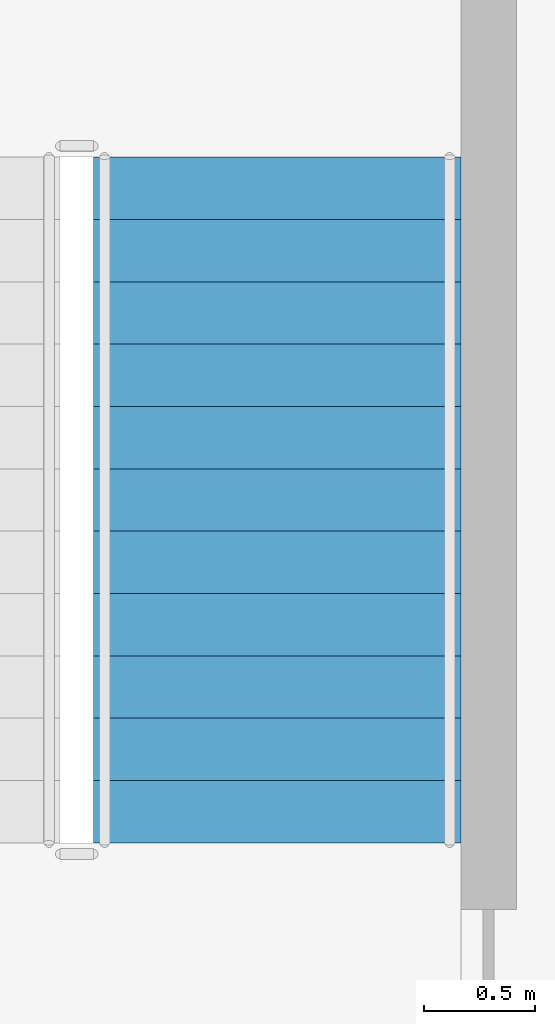
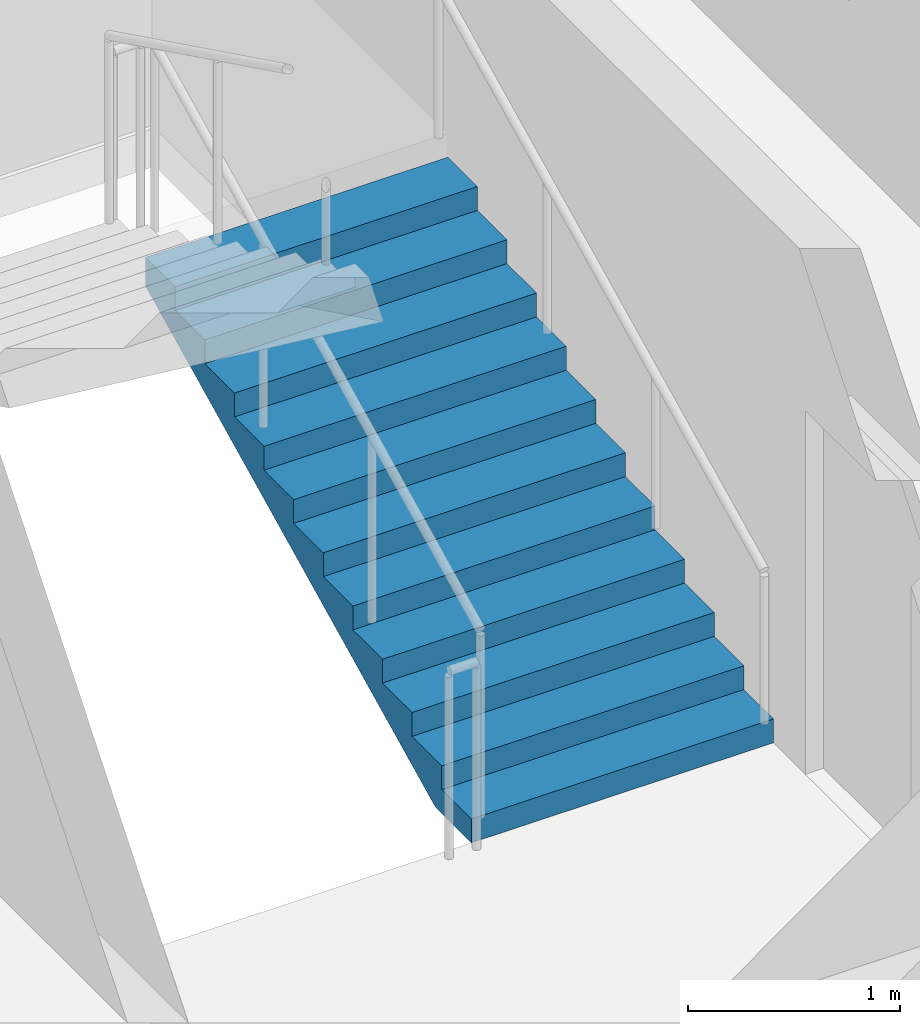
# One storey, part 12 of 27: 1 stair flight, 1 element without a shape of its own.
"""IFC4 building model written with IfcOpenShell, lengths in metres."""

from ifc_helpers import new_model, si_unit, direction, frame, origin, place, context, subcontext, project, spatial, polyline, outline, extrude, material, layer, layer_set, type_object, element, aggregate, save


model = new_model("IFC4")

# Units and contexts
model_context = context("Model", 3, precision=1e-05, world=origin(), true_north=direction((0.0, 1.0)))
body_context = subcontext(model_context, "Body", "Model", "MODEL_VIEW")
ifc_project = project(units=[si_unit("LENGTHUNIT", "METRE"), si_unit("AREAUNIT", "SQUARE_METRE"), si_unit("VOLUMEUNIT", "CUBIC_METRE"), si_unit("PLANEANGLEUNIT", "RADIAN"), si_unit("MASSUNIT", "GRAM", prefix="KILO")], contexts=[model_context])

# Site, building, storey
site_placement = place(None, origin())
site = spatial("IfcSite", under=ifc_project, at=site_placement, CompositionType="ELEMENT")
building_placement = place(site_placement, origin())
building = spatial("IfcBuilding", under=site, at=building_placement, Name="Poui Terraces", CompositionType="ELEMENT")
storey_placement = place(building_placement, frame((0.0, 0.0, 208.199951171875)))
storey = spatial("IfcBuildingStorey", under=building, at=storey_placement, Name="L58", CompositionType="ELEMENT", Elevation=208.199951171875)

# Stair, stair flight
ifc_material = material(Name="Concrete 50 MPa", Category="concrete")
stair_type = type_object("IfcStairType", Name="EXIT STAIR 1650 50 MPA", PredefinedType="HALF_TURN_STAIR", material=ifc_material)
stair_placement = place(storey_placement, origin())
stair = element("IfcStair", 1, at=stair_placement, inside=storey, type_object=stair_type, Name="L58 TIP STAIR EAST", PredefinedType="HALF_TURN_STAIR")
ifc_layer = layer(ifc_material, 0.14990234375)
ifc_layer_set = layer_set([ifc_layer], Name="Concrete 50 MPa")
stair_flight_type = type_object("IfcStairFlightType", Name="STAIR FLIGHT 12 RISERS 138 RISE 50 MPA", PredefinedType="STRAIGHT", material=ifc_layer_set)
stair_flight_placement = place(storey_placement, frame((80.25, 16.60009765625, 0.0), z_axis=(0.0, 0.0, 1.0), x_axis=(0.0, 1.0, 0.0)))
stair_flight = element("IfcStairFlight", 2, at=stair_flight_placement, type_object=stair_flight_type, Name="ST-E flight 1", NumberOfRisers=12, NumberOfTreads=11, PredefinedType="STRAIGHT", RiserHeight=0.1375, TreadLength=0.28, context=body_context, shape_type="SweptSolid", body=[
    extrude(outline(polyline([(0.0, 0.0), (0.0, 0.137451171875), (0.280029296875, 0.137451171875), (0.280029296875, 0.27490234375), (0.56005859375, 0.27490234375), (0.56005859375, 0.41259765625), (0.840087890625, 0.41259765625), (0.840087890625, 0.550048828125), (1.1201171875, 0.550048828125), (1.1201171875, 0.6875), (1.39990234375, 0.6875), (1.39990234375, 0.824951171875), (1.679931640625, 0.824951171875), (1.679931640625, 0.96240234375), (1.9599609375, 0.96240234375), (1.9599609375, 1.10009765625), (2.239990234375, 1.10009765625), (2.239990234375, 1.237548828125), (2.52001953125, 1.237548828125), (2.52001953125, 1.375), (2.800048828125, 1.375), (2.800048828125, 1.512451171875), (3.080078125, 1.512451171875), (3.080078125, 1.64990234375), (3.080078125, 1.345458984375), (0.340087890625, 0.0), (0.0, 0.0)])), frame((0.0, 0.824951171875, 0.0), z_axis=(0.0, -1.0, 0.0), x_axis=(1.0, 0.0, 0.0)), (0.0, 0.0, 1.0), 1.64990234375),
])
aggregate(stair, [stair_flight])

save(model, "model.ifc")
